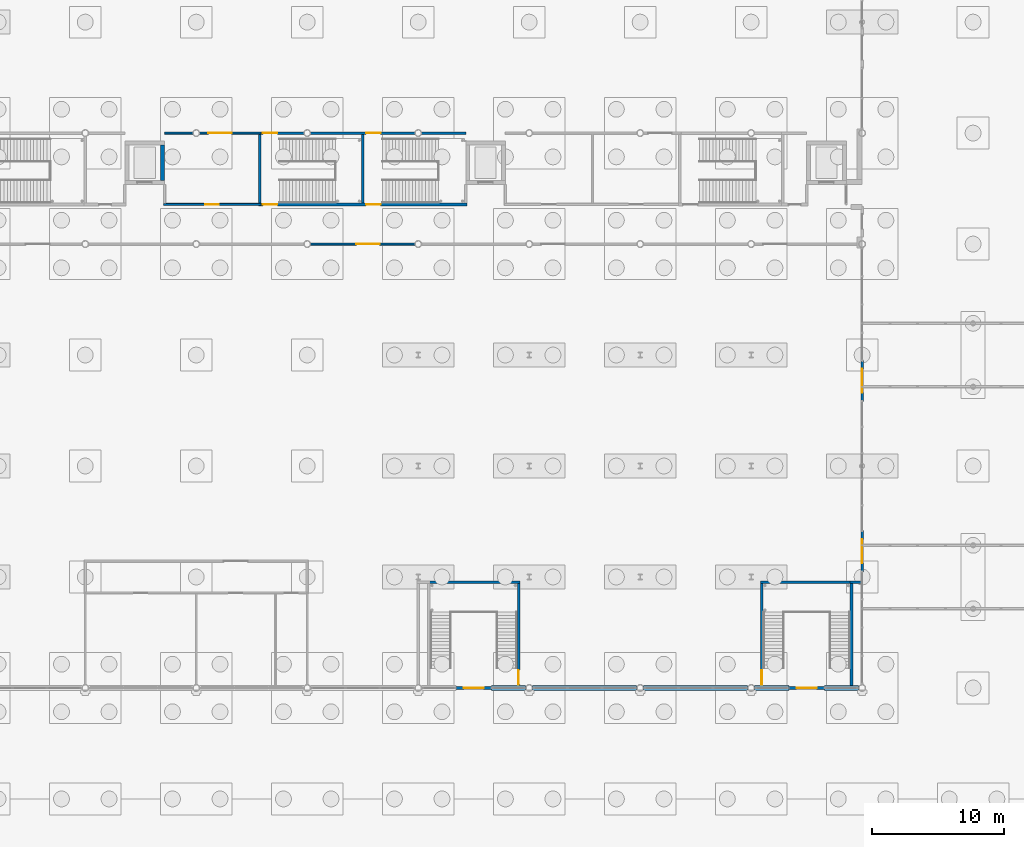
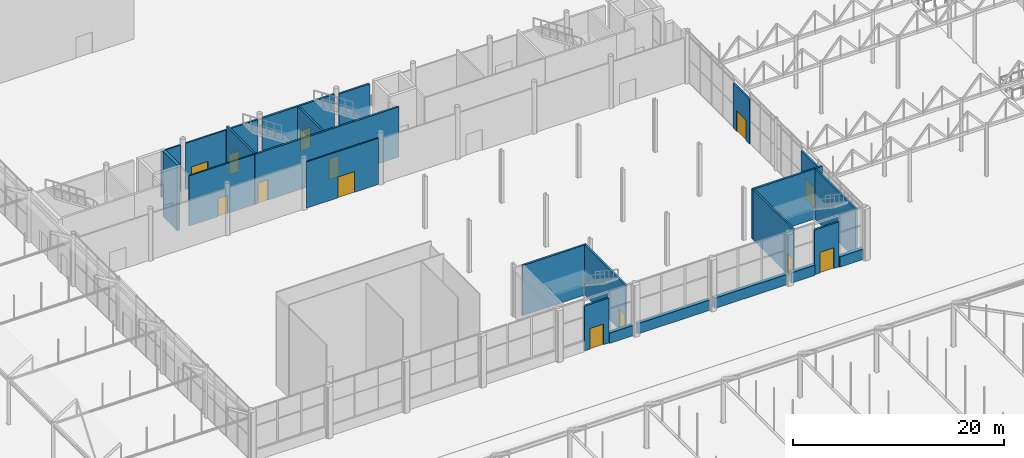
# One storey, part 182 of 212: 26 walls, 13 doors, 13 openings.
"""IFC4 building model written with IfcOpenShell, lengths in metres."""

import ifcopenshell
import ifcopenshell.guid

model = None  # the IFC model being written
_history = None  # IfcOwnerHistory: only IFC2X3 demands one
_inside = {}  # id of a spatial element -> (the spatial element, [elements in it])
_under = {}  # id of a project, library or spatial element -> (it, [spatial elements below it])
_declared = {}  # id of a project -> (the project, [libraries it declares])
_typed = {}  # id of a type object -> (the type object, [elements of that type])
_made_of = {}  # id of a material, layer set ... -> (it, [elements and type objects made of it])


def new_model(schema):
    """Start an empty IFC model of exactly this schema.

    Asked for "IFC4X3", IfcOpenShell would pick the latest addendum, in which some entities
    have other attributes; the version numbers below select the first issue.
    IFC2X3 requires an IfcOwnerHistory on every rooted entity: one is made here for all.
    """
    global model, _history
    if schema == "IFC4X3":
        model = ifcopenshell.file(schema_version=(4, 3, 0, 0))
    else:
        model = ifcopenshell.file(schema=schema)
    _inside.clear()
    _under.clear()
    _declared.clear()
    _typed.clear()
    _made_of.clear()
    _history = None
    if model.schema == "IFC2X3":
        org = make("IfcOrganization", Name="unknown")
        user = make(
            "IfcPersonAndOrganization",
            ThePerson=make("IfcPerson", FamilyName="unknown"),
            TheOrganization=org,
        )
        app = make(
            "IfcApplication",
            ApplicationDeveloper=org,
            Version="unknown",
            ApplicationFullName="unknown",
            ApplicationIdentifier="unknown",
        )
        _history = make(
            "IfcOwnerHistory",
            OwningUser=user,
            OwningApplication=app,
            ChangeAction="ADDED",
            CreationDate=0,
        )
    return model


def make(cls, **values):
    """One entity of the class cls with the attributes given. An attribute that is None is left unset."""
    return model.create_entity(
        cls, **{name: value for name, value in values.items() if value is not None}
    )


def rooted(cls, **values):
    """An entity with a GlobalId (a new one), such as an element, a storey or a relation."""
    return make(cls, GlobalId=ifcopenshell.guid.new(), OwnerHistory=_history, **values)


def si_unit(unit_type, name, prefix=None):
    """IfcSIUnit, for example si_unit("LENGTHUNIT", "METRE", prefix="MILLI")."""
    return make("IfcSIUnit", UnitType=unit_type, Prefix=prefix, Name=name)


def assignment(units):
    """IfcUnitAssignment: the units of a project."""
    return None if units is None else make("IfcUnitAssignment", Units=units)


def point(xyz):
    """IfcCartesianPoint."""
    return None if xyz is None else make("IfcCartesianPoint", Coordinates=xyz)


def direction(xyz):
    """IfcDirection."""
    return None if xyz is None else make("IfcDirection", DirectionRatios=xyz)


def frame(location, z_axis=None, x_axis=None):
    """IfcAxis2Placement3D, a coordinate frame: its origin and axes. An axis left out is left unset."""
    return make(
        "IfcAxis2Placement3D",
        Location=point(location),
        Axis=direction(z_axis),
        RefDirection=direction(x_axis),
    )


def frame_2d(location, x_axis=None):
    """IfcAxis2Placement2D, a coordinate frame in the plane: its origin and x axis."""
    return make(
        "IfcAxis2Placement2D", Location=point(location), RefDirection=direction(x_axis)
    )


def origin():
    """The frame at (0, 0, 0) with its axes left unset."""
    return frame((0.0, 0.0, 0.0))


def place(relative_to, where):
    """IfcLocalPlacement: puts the frame where relative to a parent placement (None: the world)."""
    return make(
        "IfcLocalPlacement", PlacementRelTo=relative_to, RelativePlacement=where
    )


def context(
    kind, dimensions, precision=None, world=None, true_north=None, identifier=None
):
    """IfcGeometricRepresentationContext, for example the 3D "Model" context."""
    return make(
        "IfcGeometricRepresentationContext",
        ContextIdentifier=identifier,
        ContextType=kind,
        CoordinateSpaceDimension=dimensions,
        Precision=precision,
        WorldCoordinateSystem=world,
        TrueNorth=true_north,
    )


def subcontext(parent, identifier, kind, view, scale=None):
    """IfcGeometricRepresentationSubContext, for example "Body" below "Model"."""
    return make(
        "IfcGeometricRepresentationSubContext",
        ContextIdentifier=identifier,
        ContextType=kind,
        ParentContext=parent,
        TargetScale=scale,
        TargetView=view,
    )


def project(units=None, contexts=None):
    """IfcProject with its units and contexts."""
    return rooted(
        "IfcProject",
        Name="project",
        RepresentationContexts=contexts,
        UnitsInContext=assignment(units),
    )


def spatial(cls, under=None, at=None, **own):
    """A site, building, storey or space (cls), placed at a placement, below another one or the project."""
    s = rooted(cls, ObjectPlacement=at, **own)
    if under is not None:
        _under.setdefault(under.id(), (under, []))[1].append(s)
    return s


def profile(cls, at=None, kind="AREA", **sizes):
    """A parametric profile (cls). Its sizes go by their IFC names, for example OverallWidth=200.0."""
    return make(cls, ProfileType=kind, Position=at, **sizes)


def rectangle(**sizes):
    """IfcRectangleProfileDef."""
    return profile("IfcRectangleProfileDef", **sizes)


def extrude(swept, where, along, depth):
    """IfcExtrudedAreaSolid: the profile swept, set in the frame where, extruded along a direction by depth."""
    return make(
        "IfcExtrudedAreaSolid",
        SweptArea=swept,
        Position=where,
        ExtrudedDirection=direction(along),
        Depth=depth,
    )


def shape(context_of_items, identifier, shape_type, items):
    """IfcShapeRepresentation: the items that make up one representation, for example the "Body"."""
    return make(
        "IfcShapeRepresentation",
        ContextOfItems=context_of_items,
        RepresentationIdentifier=identifier,
        RepresentationType=shape_type,
        Items=items,
    )


def material(Name=None, Category=None):
    """IfcMaterial."""
    return make("IfcMaterial", Name=Name, Category=Category)


def layer(
    of_material, thickness, ventilated=None, Name=None, Category=None, Priority=None
):
    """IfcMaterialLayer: one layer of a wall or slab, of a material (None: an air gap)."""
    return make(
        "IfcMaterialLayer",
        Material=of_material,
        LayerThickness=thickness,
        IsVentilated=ventilated,
        Name=Name,
        Category=Category,
        Priority=Priority,
    )


def layer_set(layers, Name=None):
    """IfcMaterialLayerSet."""
    return make("IfcMaterialLayerSet", MaterialLayers=layers, LayerSetName=Name)


def made_of(thing, what):
    """Note that an element or type object is made of a material, layer set ...; save() writes the relation."""
    if what is not None:
        _made_of.setdefault(what.id(), (what, []))[1].append(thing)
    return thing


def type_object(cls, material=None, **own):
    """A type object (cls), such as IfcWallType, which elements share."""
    return made_of(rooted(cls, **own), material)


def element(
    cls,
    number,
    at=None,
    inside=None,
    cuts=None,
    type_object=None,
    material=None,
    context=None,
    identifier="Body",
    shape_type=None,
    held_by="IfcProductDefinitionShape",
    body=None,
    shapes=None,
    **own,
):
    """One element of the class cls, such as IfcWall. Its Tag is "e" and its number.

    at: its placement. inside: the storey or other place that contains it. cuts: it is an
    opening in that element (IfcRelVoidsElement). A single representation is given by context,
    identifier, shape_type and body (its items); several are given by shapes. held_by: the class
    of the entity that holds the representations. save() writes the other relations.
    """
    e = rooted(cls, Tag="e%d" % number, ObjectPlacement=at, **own)
    if body is not None:
        shapes = [shape(context, identifier, shape_type, body)]
    if shapes is not None:
        e.Representation = make(held_by, Representations=shapes)
    if inside is not None:
        _inside.setdefault(inside.id(), (inside, []))[1].append(e)
    if cuts is not None:
        rooted(
            "IfcRelVoidsElement", RelatingBuildingElement=cuts, RelatedOpeningElement=e
        )
    if type_object is not None:
        _typed.setdefault(type_object.id(), (type_object, []))[1].append(e)
    return made_of(e, material)


def fill(opening, filler):
    """IfcRelFillsElement: the door or window that sits in an opening."""
    return rooted(
        "IfcRelFillsElement",
        RelatingOpeningElement=opening,
        RelatedBuildingElement=filler,
    )


def aggregate(whole, parts):
    """IfcRelAggregates: a whole, such as a stair, and the parts it consists of."""
    return rooted("IfcRelAggregates", RelatingObject=whole, RelatedObjects=parts)


def save(model, path):
    """Write the relations noted so far, then the file.

    IfcRelAggregates (storeys below a building ...), IfcRelContainedInSpatialStructure (elements
    in a storey), IfcRelDefinesByType, IfcRelAssociatesMaterial and IfcRelDeclares: one each for
    every whole, place, type object, material and project.
    """
    for whole, parts in _under.values():
        aggregate(whole, parts)
    for where, things in _inside.values():
        rooted(
            "IfcRelContainedInSpatialStructure",
            RelatedElements=things,
            RelatingStructure=where,
        )
    for kind, things in _typed.values():
        rooted("IfcRelDefinesByType", RelatedObjects=things, RelatingType=kind)
    for what, things in _made_of.values():
        rooted("IfcRelAssociatesMaterial", RelatedObjects=things, RelatingMaterial=what)
    for by, libraries in _declared.values():
        rooted("IfcRelDeclares", RelatingContext=by, RelatedDefinitions=libraries)
    model.write(path)


model = new_model("IFC4")

# Units and contexts
model_context = context("Model", 3, precision=1e-05, world=origin(), true_north=direction((0.0, 1.0)))
body_context = subcontext(model_context, "Body", "Model", "MODEL_VIEW")
ifc_project = project(units=[si_unit("LENGTHUNIT", "METRE"), si_unit("AREAUNIT", "SQUARE_METRE"), si_unit("VOLUMEUNIT", "CUBIC_METRE"), si_unit("PLANEANGLEUNIT", "RADIAN"), si_unit("MASSUNIT", "GRAM", prefix="KILO")], contexts=[model_context])

# Site, building, storey
site_placement = place(None, origin())
site = spatial("IfcSite", under=ifc_project, at=site_placement, CompositionType="ELEMENT")
building_placement = place(site_placement, origin())
building = spatial("IfcBuilding", under=site, at=building_placement, Name="Catenary Quay Ferry Terminal", CompositionType="ELEMENT")
storey_placement = place(building_placement, origin())
storey = spatial("IfcBuildingStorey", under=building, at=storey_placement, Name="L00", CompositionType="ELEMENT", Elevation=0.0)

# Walls
ifc_material_1 = material(Name="Masonry and insulation", Category="masonry")
ifc_layer_1 = layer(ifc_material_1, 0.39990234375)
ifc_layer_set_1 = layer_set([ifc_layer_1], Name="EW14")
wall_type_1 = type_object("IfcWallType", Name="EW14", PredefinedType="SOLIDWALL", material=ifc_layer_set_1)
wall_1_placement = place(storey_placement, frame((64.35009765625, 67.199951171875, 0.0), z_axis=(0.0, 0.0, 1.0), x_axis=(1.0, 0.0, 0.0)))
element("IfcWall", 1, at=wall_1_placement, inside=storey, type_object=wall_type_1, Name="Plinth hall wall WL13", PredefinedType="SOLIDWALL", context=body_context, shape_type="SweptSolid", body=[
    extrude(rectangle(XDim=2.58984375, YDim=0.39990234375, at=frame_2d((1.294921875, 0.0))), origin(), (0.0, 0.0, 1.0), 1.199951171875),
])
wall_2_placement = place(storey_placement, frame((67.4599609375, 67.199951171875, 0.0), z_axis=(0.0, 0.0, 1.0), x_axis=(1.0, 0.0, 0.0)))
element("IfcWall", 2, at=wall_2_placement, inside=storey, type_object=wall_type_1, Name="Plinth hall wall WL15", PredefinedType="SOLIDWALL", context=body_context, shape_type="SweptSolid", body=[
    extrude(rectangle(XDim=7.880126953125, YDim=0.39990234375, at=frame_2d((3.93994140625, 0.0))), origin(), (0.0, 0.0, 1.0), 1.199951171875),
])
wall_3_placement = place(storey_placement, frame((75.860107421875, 67.199951171875, 0.0), z_axis=(0.0, 0.0, 1.0), x_axis=(1.0, 0.0, 0.0)))
element("IfcWall", 3, at=wall_3_placement, inside=storey, type_object=wall_type_1, Name="Plinth hall wall WL16", PredefinedType="SOLIDWALL", context=body_context, shape_type="SweptSolid", body=[
    extrude(rectangle(XDim=7.8798828125, YDim=0.39990234375, at=frame_2d((3.93994140625, 0.0))), origin(), (0.0, 0.0, 1.0), 1.199951171875),
])
wall_4_placement = place(storey_placement, frame((84.260009765625, 67.199951171875, 0.0), z_axis=(0.0, 0.0, 1.0), x_axis=(1.0, 0.0, 0.0)))
element("IfcWall", 4, at=wall_4_placement, inside=storey, type_object=wall_type_1, Name="Plinth hall wall WL17", PredefinedType="SOLIDWALL", context=body_context, shape_type="SweptSolid", body=[
    extrude(rectangle(XDim=2.590087890625, YDim=0.39990234375, at=frame_2d((1.294921875, 0.0))), origin(), (0.0, 0.0, 1.0), 1.199951171875),
])
wall_5_placement = place(storey_placement, frame((89.550048828125, 67.199951171875, 0.0), z_axis=(0.0, 0.0, 1.0), x_axis=(1.0, 0.0, 0.0)))
element("IfcWall", 5, at=wall_5_placement, inside=storey, type_object=wall_type_1, Name="Plinth hall wall WL18", PredefinedType="SOLIDWALL", context=body_context, shape_type="SweptSolid", body=[
    extrude(rectangle(XDim=2.58984375, YDim=0.39990234375, at=frame_2d((1.294921875, 0.0))), origin(), (0.0, 0.0, 1.0), 1.199951171875),
])

# Wall, opening, door
ifc_material_2 = material(Name="Masonry and insulation", Category="masonry")
ifc_layer_2 = layer(ifc_material_2, 0.199951171875)
ifc_layer_set_2 = layer_set([ifc_layer_2], Name="EW6")
wall_type_2 = type_object("IfcWallType", Name="EW6", PredefinedType="SOLIDWALL", material=ifc_layer_set_2)
wall_6_placement = place(storey_placement, frame((92.39990234375, 75.9951171875, 0.0), z_axis=(0.0, 0.0, 1.0), x_axis=(0.0, 1.0, 0.0)))
wall_6 = element("IfcWall", 6, at=wall_6_placement, inside=storey, type_object=wall_type_2, Name="Gable arrivals hall wall WL3", PredefinedType="SOLIDWALL", context=body_context, shape_type="SweptSolid", body=[
    extrude(rectangle(XDim=3.10986328125, YDim=0.199951171875, at=frame_2d((1.554931640625, 0.0))), origin(), (0.0, 0.0, 1.0), 5.19775390625),
])
opening_1_placement = place(wall_6_placement, frame((0.655029296875, 0.0, 0.0)))
opening_1 = element("IfcOpeningElement", 7, at=opening_1_placement, cuts=wall_6, Name="Opening D3", PredefinedType="OPENING", context=body_context, shape_type="SweptSolid", body=[
    extrude(rectangle(XDim=1.800048828125, YDim=2.39990234375, at=frame_2d((0.89990234375, 1.199951171875))), frame((0.0, 0.10986328125, 0.0), z_axis=(0.0, -1.0, 0.0), x_axis=(1.0, 0.0, 0.0)), (0.0, 0.0, 1.0), 0.219970703125),
])
ifc_material_3 = material(Name="Aluminium and glass", Category="aluminium")
door_type_1 = type_object("IfcDoorType", Name="DXA1800", OperationType="DOUBLE_DOOR_SINGLE_SWING", PredefinedType="DOOR", material=ifc_material_3)
door_1_placement = place(opening_1_placement, frame((1.800048828125, 0.0, 0.0), z_axis=(0.0, 0.0, 1.0), x_axis=(-1.0, 0.0, 0.0)))
door_1 = element("IfcDoor", 8, at=door_1_placement, inside=storey, type_object=door_type_1, Name="Gable arrivals hall door D3", OperationType="DOUBLE_DOOR_SINGLE_SWING", OverallHeight=2.39990234375, OverallWidth=1.800048828125, PredefinedType="DOOR", context=body_context, shape_type="SweptSolid", body=[
    extrude(rectangle(XDim=1.800048828125, YDim=2.39990234375, at=frame_2d((0.89990234375, 1.199951171875))), frame((0.0, 0.02490234375, 0.0), z_axis=(0.0, -1.0, 0.0), x_axis=(1.0, 0.0, 0.0)), (0.0, 0.0, 1.0), 0.050048828125),
])
fill(opening_1, door_1)

wall_7_placement = place(storey_placement, frame((92.39990234375, 88.89501953125, 0.0), z_axis=(0.0, 0.0, 1.0), x_axis=(0.0, 1.0, 0.0)))
wall_7 = element("IfcWall", 9, at=wall_7_placement, inside=storey, type_object=wall_type_2, Name="Gable arrivals hall wall WL4", PredefinedType="SOLIDWALL", context=body_context, shape_type="SweptSolid", body=[
    extrude(rectangle(XDim=3.10986328125, YDim=0.199951171875, at=frame_2d((1.554931640625, 0.0))), origin(), (0.0, 0.0, 1.0), 5.19775390625),
])
opening_2_placement = place(wall_7_placement, frame((0.655029296875, 0.0, 0.0)))
opening_2 = element("IfcOpeningElement", 10, at=opening_2_placement, cuts=wall_7, Name="Opening D4", PredefinedType="OPENING", context=body_context, shape_type="SweptSolid", body=[
    extrude(rectangle(XDim=1.800048828125, YDim=2.39990234375, at=frame_2d((0.89990234375, 1.199951171875))), frame((0.0, 0.10986328125, 0.0), z_axis=(0.0, -1.0, 0.0), x_axis=(1.0, 0.0, 0.0)), (0.0, 0.0, 1.0), 0.219970703125),
])
door_2_placement = place(opening_2_placement, frame((1.800048828125, 0.0, 0.0), z_axis=(0.0, 0.0, 1.0), x_axis=(-1.0, 0.0, 0.0)))
door_2 = element("IfcDoor", 11, at=door_2_placement, inside=storey, type_object=door_type_1, Name="Gable arrivals hall door D4", OperationType="DOUBLE_DOOR_SINGLE_SWING", OverallHeight=2.39990234375, OverallWidth=1.800048828125, PredefinedType="DOOR", context=body_context, shape_type="SweptSolid", body=[
    extrude(rectangle(XDim=1.800048828125, YDim=2.39990234375, at=frame_2d((0.89990234375, 1.199951171875))), frame((0.0, 0.02490234375, 0.0), z_axis=(0.0, -1.0, 0.0), x_axis=(1.0, 0.0, 0.0)), (0.0, 0.0, 1.0), 0.050048828125),
])
fill(opening_2, door_2)

wall_8_placement = place(storey_placement, frame((61.64990234375, 67.199951171875, 0.0), z_axis=(0.0, 0.0, 1.0), x_axis=(1.0, 0.0, 0.0)))
wall_8 = element("IfcWall", 12, at=wall_8_placement, inside=storey, type_object=wall_type_2, Name="Front hall wall WL14", PredefinedType="SOLIDWALL", context=body_context, shape_type="SweptSolid", body=[
    extrude(rectangle(XDim=2.7001953125, YDim=0.199951171875, at=frame_2d((1.35009765625, 0.0))), origin(), (0.0, 0.0, 1.0), 5.19775390625),
])
opening_3_placement = place(wall_8_placement, frame((0.60009765625, 0.0, 0.0)))
opening_3 = element("IfcOpeningElement", 13, at=opening_3_placement, cuts=wall_8, Name="Opening D8", PredefinedType="OPENING", context=body_context, shape_type="SweptSolid", body=[
    extrude(rectangle(XDim=1.5, YDim=2.39990234375, at=frame_2d((0.75, 1.199951171875))), frame((0.0, 0.10986328125, 0.0), z_axis=(0.0, -1.0, 0.0), x_axis=(1.0, 0.0, 0.0)), (0.0, 0.0, 1.0), 0.219970703125),
])
ifc_material_4 = material(Name="Steel", Category="steel")
door_type_2 = type_object("IfcDoorType", Name="DXE1500", OperationType="SINGLE_SWING_LEFT", PredefinedType="DOOR", material=ifc_material_4)
door_3_placement = place(opening_3_placement, frame((1.5, 0.0, 0.0), z_axis=(0.0, 0.0, 1.0), x_axis=(-1.0, 0.0, 0.0)))
door_3 = element("IfcDoor", 14, at=door_3_placement, inside=storey, type_object=door_type_2, Name="Front hall door D8", OperationType="SINGLE_SWING_RIGHT", OverallHeight=2.39990234375, OverallWidth=1.5, PredefinedType="DOOR", context=body_context, shape_type="SweptSolid", body=[
    extrude(rectangle(XDim=1.5, YDim=2.39990234375, at=frame_2d((0.75, 1.199951171875))), frame((0.0, 0.02490234375, 0.0), z_axis=(0.0, -1.0, 0.0), x_axis=(1.0, 0.0, 0.0)), (0.0, 0.0, 1.0), 0.050048828125),
])
fill(opening_3, door_3)

wall_9_placement = place(storey_placement, frame((86.85009765625, 67.199951171875, 0.0), z_axis=(0.0, 0.0, 1.0), x_axis=(1.0, 0.0, 0.0)))
wall_9 = element("IfcWall", 15, at=wall_9_placement, inside=storey, type_object=wall_type_2, Name="Front hall wall WL19", PredefinedType="SOLIDWALL", context=body_context, shape_type="SweptSolid", body=[
    extrude(rectangle(XDim=2.699951171875, YDim=0.199951171875, at=frame_2d((1.35009765625, 0.0))), origin(), (0.0, 0.0, 1.0), 5.19775390625),
])
opening_4_placement = place(wall_9_placement, frame((0.60009765625, 0.0, 0.0)))
opening_4 = element("IfcOpeningElement", 16, at=opening_4_placement, cuts=wall_9, Name="Opening D9", PredefinedType="OPENING", context=body_context, shape_type="SweptSolid", body=[
    extrude(rectangle(XDim=1.5, YDim=2.39990234375, at=frame_2d((0.75, 1.199951171875))), frame((0.0, 0.10986328125, 0.0), z_axis=(0.0, -1.0, 0.0), x_axis=(1.0, 0.0, 0.0)), (0.0, 0.0, 1.0), 0.219970703125),
])
door_4_placement = place(opening_4_placement, frame((1.5, 0.0, 0.0), z_axis=(0.0, 0.0, 1.0), x_axis=(-1.0, 0.0, 0.0)))
door_4 = element("IfcDoor", 17, at=door_4_placement, inside=storey, type_object=door_type_2, Name="Front hall door D9", OperationType="SINGLE_SWING_RIGHT", OverallHeight=2.39990234375, OverallWidth=1.5, PredefinedType="DOOR", context=body_context, shape_type="SweptSolid", body=[
    extrude(rectangle(XDim=1.5, YDim=2.39990234375, at=frame_2d((0.75, 1.199951171875))), frame((0.0, 0.02490234375, 0.0), z_axis=(0.0, -1.0, 0.0), x_axis=(1.0, 0.0, 0.0)), (0.0, 0.0, 1.0), 0.050048828125),
])
fill(opening_4, door_4)

ifc_material_5 = material(Name="Plasterboard on steel studs", Category="steel")
ifc_layer_3 = layer(ifc_material_5, 0.14990234375)
ifc_layer_set_3 = layer_set([ifc_layer_3], Name="IP3")
wall_type_3 = type_object("IfcWallType", Name="IP3", PredefinedType="PARTITIONING", material=ifc_layer_set_3)
wall_10_placement = place(storey_placement, frame((50.654052734375, 100.800048828125, 0.0), z_axis=(0.0, 0.0, 1.0), x_axis=(1.0, 0.0, 0.0)))
wall_10 = element("IfcWall", 18, at=wall_10_placement, inside=storey, type_object=wall_type_3, Name="Partition L00 14", PredefinedType="PARTITIONING", context=body_context, shape_type="SweptSolid", body=[
    extrude(rectangle(XDim=7.891845703125, YDim=0.14990234375, at=frame_2d((3.94580078125, 0.0))), origin(), (0.0, 0.0, 1.0), 5.34619140625),
])
opening_5_placement = place(wall_10_placement, frame((3.446044921875, 0.0, 0.0)))
opening_5 = element("IfcOpeningElement", 19, at=opening_5_placement, cuts=wall_10, Name="Opening D61", PredefinedType="OPENING", context=body_context, shape_type="SweptSolid", body=[
    extrude(rectangle(XDim=1.800048828125, YDim=2.39990234375, at=frame_2d((0.89990234375, 1.199951171875))), frame((0.0, 0.0849609375, 0.0), z_axis=(0.0, -1.0, 0.0), x_axis=(1.0, 0.0, 0.0)), (0.0, 0.0, 1.0), 0.169921875),
])
ifc_material_6 = material(Name="Aluminium and glass", Category="aluminium")
door_type_3 = type_object("IfcDoorType", Name="DI6", OperationType="DOUBLE_DOOR_SINGLE_SWING", PredefinedType="DOOR", material=ifc_material_6)
door_5_placement = place(opening_5_placement, origin())
door_5 = element("IfcDoor", 20, at=door_5_placement, inside=storey, type_object=door_type_3, Name="Terminal Spine Corridor to Arrivals Hall", OperationType="DOUBLE_DOOR_SINGLE_SWING", OverallHeight=2.39990234375, OverallWidth=1.800048828125, PredefinedType="DOOR", context=body_context, shape_type="SweptSolid", body=[
    extrude(rectangle(XDim=1.800048828125, YDim=2.39990234375, at=frame_2d((0.89990234375, 1.199951171875))), frame((0.0, 0.02490234375, 0.0), z_axis=(0.0, -1.0, 0.0), x_axis=(1.0, 0.0, 0.0)), (0.0, 0.0, 1.0), 0.050048828125),
])
fill(opening_5, door_5)

wall_11_placement = place(storey_placement, frame((39.52490234375, 103.800048828125, 0.0), z_axis=(0.0, 0.0, 1.0), x_axis=(1.0, 0.0, 0.0)))
wall_11 = element("IfcWall", 21, at=wall_11_placement, inside=storey, type_object=wall_type_3, Name="Partition L00 21", PredefinedType="PARTITIONING", context=body_context, shape_type="SweptSolid", body=[
    extrude(rectangle(XDim=7.375, YDim=0.14990234375, at=frame_2d((3.6875, 0.0))), origin(), (0.0, 0.0, 1.0), 5.800048828125),
])
opening_6_placement = place(wall_11_placement, frame((3.175048828125, 0.0, 0.0)))
opening_6 = element("IfcOpeningElement", 22, at=opening_6_placement, cuts=wall_11, Name="Opening D53", PredefinedType="OPENING", context=body_context, shape_type="SweptSolid", body=[
    extrude(rectangle(XDim=1.0, YDim=2.10009765625, at=frame_2d((0.5, 1.050048828125))), frame((0.0, 0.0849609375, 0.0), z_axis=(0.0, -1.0, 0.0), x_axis=(1.0, 0.0, 0.0)), (0.0, 0.0, 1.0), 0.169921875),
])
ifc_material_7 = material(Name="Timber", Category="wood")
door_type_4 = type_object("IfcDoorType", Name="DI7", OperationType="SINGLE_SWING_LEFT", PredefinedType="DOOR", material=ifc_material_7)
door_6_placement = place(opening_6_placement, origin())
door_6 = element("IfcDoor", 23, at=door_6_placement, inside=storey, type_object=door_type_4, Name="Baggage Handling Room to Terminal Spine Corridor", OperationType="SINGLE_SWING_LEFT", OverallHeight=2.10009765625, OverallWidth=1.0, PredefinedType="DOOR", context=body_context, shape_type="SweptSolid", body=[
    extrude(rectangle(XDim=1.0, YDim=2.10009765625, at=frame_2d((0.5, 1.050048828125))), frame((0.0, 0.02490234375, 0.0), z_axis=(0.0, -1.0, 0.0), x_axis=(1.0, 0.0, 0.0)), (0.0, 0.0, 1.0), 0.050048828125),
])
fill(opening_6, door_6)

# Walls
ifc_material_8 = material(Name="Blockwork and plaster", Category="masonry")
ifc_layer_4 = layer(ifc_material_8, 0.199951171875)
ifc_layer_set_4 = layer_set([ifc_layer_4], Name="IP4")
wall_type_4 = type_object("IfcWallType", Name="IP4", PredefinedType="PARTITIONING", material=ifc_layer_set_4)
for number, where, z_axis, x_axis, name in (
    (24, (59.5, 75.199951171875, 0.0), (0.0, 0.0, 1.0), (1.0, 0.0, 0.0), "Partition L00 4"),
    (25, (84.699951171875, 75.199951171875, 0.0), (0.0, 0.0, 1.0), (1.0, 0.0, 0.0), "Partition L00 5"),
):
    element("IfcWall", number, at=place(storey_placement, frame(where, z_axis=z_axis, x_axis=x_axis)), inside=storey, type_object=wall_type_4, Name=name, PredefinedType="PARTITIONING", context=body_context, shape_type="SweptSolid", body=[
        extrude(rectangle(XDim=7.0, YDim=0.199951171875, at=frame_2d((3.5, 0.0))), origin(), (0.0, 0.0, 1.0), 5.800048828125),
    ])

# Wall, openings, doors
wall_12_placement = place(storey_placement, frame((46.699951171875, 103.800048828125, 0.0), z_axis=(0.0, 0.0, 1.0), x_axis=(1.0, 0.0, 0.0)))
wall_12 = element("IfcWall", 26, at=wall_12_placement, inside=storey, type_object=wall_type_4, Name="Partition L00 22", PredefinedType="PARTITIONING", context=body_context, shape_type="SweptSolid", body=[
    extrude(rectangle(XDim=15.800048828125, YDim=0.199951171875, at=frame_2d((7.89990234375, 0.0))), origin(), (0.0, 0.0, 1.0), 5.800048828125),
])
opening_7_placement = place(wall_12_placement, frame((0.35009765625, 0.0, 0.0)))
opening_7 = element("IfcOpeningElement", 27, at=opening_7_placement, cuts=wall_12, Name="Opening D54", PredefinedType="OPENING", context=body_context, shape_type="SweptSolid", body=[
    extrude(rectangle(XDim=1.10009765625, YDim=2.39990234375, at=frame_2d((0.550048828125, 1.199951171875))), frame((0.0, 0.10986328125, 0.0), z_axis=(0.0, -1.0, 0.0), x_axis=(1.0, 0.0, 0.0)), (0.0, 0.0, 1.0), 0.219970703125),
])
opening_8_placement = place(wall_12_placement, frame((8.14990234375, 0.0, 0.0)))
opening_8 = element("IfcOpeningElement", 28, at=opening_8_placement, cuts=wall_12, Name="Opening D55", PredefinedType="OPENING", context=body_context, shape_type="SweptSolid", body=[
    extrude(rectangle(XDim=1.10009765625, YDim=2.39990234375, at=frame_2d((0.550048828125, 1.199951171875))), frame((0.0, 0.10986328125, 0.0), z_axis=(0.0, -1.0, 0.0), x_axis=(1.0, 0.0, 0.0)), (0.0, 0.0, 1.0), 0.219970703125),
])
ifc_material_9 = material(Name="Steel", Category="steel")
door_type_5 = type_object("IfcDoorType", Name="DI4", OperationType="SINGLE_SWING_LEFT", PredefinedType="DOOR", material=ifc_material_9)
door_7_placement = place(opening_7_placement, origin())
door_7 = element("IfcDoor", 29, at=door_7_placement, inside=storey, type_object=door_type_5, Name="Stair TS2 to Terminal Spine Corridor", OperationType="SINGLE_SWING_LEFT", OverallHeight=2.39990234375, OverallWidth=1.10009765625, PredefinedType="DOOR", context=body_context, shape_type="SweptSolid", body=[
    extrude(rectangle(XDim=1.10009765625, YDim=2.39990234375, at=frame_2d((0.550048828125, 1.199951171875))), frame((0.0, 0.02490234375, 0.0), z_axis=(0.0, -1.0, 0.0), x_axis=(1.0, 0.0, 0.0)), (0.0, 0.0, 1.0), 0.050048828125),
])
fill(opening_7, door_7)
door_8_placement = place(opening_8_placement, origin())
door_8 = element("IfcDoor", 30, at=door_8_placement, inside=storey, type_object=door_type_5, Name="Stair TS4 to Terminal Spine Corridor", OperationType="SINGLE_SWING_LEFT", OverallHeight=2.39990234375, OverallWidth=1.10009765625, PredefinedType="DOOR", context=body_context, shape_type="SweptSolid", body=[
    extrude(rectangle(XDim=1.10009765625, YDim=2.39990234375, at=frame_2d((0.550048828125, 1.199951171875))), frame((0.0, 0.02490234375, 0.0), z_axis=(0.0, -1.0, 0.0), x_axis=(1.0, 0.0, 0.0)), (0.0, 0.0, 1.0), 0.050048828125),
])
fill(opening_8, door_8)

# Wall, opening, door
wall_13_placement = place(storey_placement, frame((46.699951171875, 109.199951171875, 0.0), z_axis=(0.0, 0.0, 1.0), x_axis=(1.0, 0.0, 0.0)))
wall_13 = element("IfcWall", 31, at=wall_13_placement, inside=storey, type_object=wall_type_4, Name="Partition L00 30", PredefinedType="PARTITIONING", context=body_context, shape_type="SweptSolid", body=[
    extrude(rectangle(XDim=3.446044921875, YDim=0.199951171875, at=frame_2d((1.72314453125, 0.0))), origin(), (0.0, 0.0, 1.0), 5.34619140625),
])
opening_9_placement = place(wall_13_placement, frame((0.35009765625, 0.0, 0.0)))
opening_9 = element("IfcOpeningElement", 32, at=opening_9_placement, cuts=wall_13, Name="Opening D64", PredefinedType="OPENING", context=body_context, shape_type="SweptSolid", body=[
    extrude(rectangle(XDim=1.10009765625, YDim=2.39990234375, at=frame_2d((0.550048828125, 1.199951171875))), frame((0.0, 0.10986328125, 0.0), z_axis=(0.0, -1.0, 0.0), x_axis=(1.0, 0.0, 0.0)), (0.0, 0.0, 1.0), 0.219970703125),
])
door_9_placement = place(opening_9_placement, frame((1.10009765625, 0.0, 0.0), z_axis=(0.0, 0.0, 1.0), x_axis=(-1.0, 0.0, 0.0)))
door_9 = element("IfcDoor", 33, at=door_9_placement, inside=storey, type_object=door_type_5, Name="Stair TS2 to Departure Hall", OperationType="SINGLE_SWING_RIGHT", OverallHeight=2.39990234375, OverallWidth=1.10009765625, PredefinedType="DOOR", context=body_context, shape_type="SweptSolid", body=[
    extrude(rectangle(XDim=1.10009765625, YDim=2.39990234375, at=frame_2d((0.550048828125, 1.199951171875))), frame((0.0, 0.02490234375, 0.0), z_axis=(0.0, -1.0, 0.0), x_axis=(1.0, 0.0, 0.0)), (0.0, 0.0, 1.0), 0.050048828125),
])
fill(opening_9, door_9)

wall_14_placement = place(storey_placement, frame((50.654052734375, 109.199951171875, 0.0), z_axis=(0.0, 0.0, 1.0), x_axis=(1.0, 0.0, 0.0)))
wall_14 = element("IfcWall", 34, at=wall_14_placement, inside=storey, type_object=wall_type_4, Name="Partition L00 31", PredefinedType="PARTITIONING", context=body_context, shape_type="SweptSolid", body=[
    extrude(rectangle(XDim=7.891845703125, YDim=0.199951171875, at=frame_2d((3.94580078125, 0.0))), origin(), (0.0, 0.0, 1.0), 5.34619140625),
])
opening_10_placement = place(wall_14_placement, frame((4.196044921875, 0.0, 0.0)))
opening_10 = element("IfcOpeningElement", 35, at=opening_10_placement, cuts=wall_14, Name="Opening D66", PredefinedType="OPENING", context=body_context, shape_type="SweptSolid", body=[
    extrude(rectangle(XDim=1.10009765625, YDim=2.39990234375, at=frame_2d((0.550048828125, 1.199951171875))), frame((0.0, 0.10986328125, 0.0), z_axis=(0.0, -1.0, 0.0), x_axis=(1.0, 0.0, 0.0)), (0.0, 0.0, 1.0), 0.219970703125),
])
door_10_placement = place(opening_10_placement, frame((1.10009765625, 0.0, 0.0), z_axis=(0.0, 0.0, 1.0), x_axis=(-1.0, 0.0, 0.0)))
door_10 = element("IfcDoor", 36, at=door_10_placement, inside=storey, type_object=door_type_5, Name="Stair TS4 to Departure Hall", OperationType="SINGLE_SWING_RIGHT", OverallHeight=2.39990234375, OverallWidth=1.10009765625, PredefinedType="DOOR", context=body_context, shape_type="SweptSolid", body=[
    extrude(rectangle(XDim=1.10009765625, YDim=2.39990234375, at=frame_2d((0.550048828125, 1.199951171875))), frame((0.0, 0.02490234375, 0.0), z_axis=(0.0, -1.0, 0.0), x_axis=(1.0, 0.0, 0.0)), (0.0, 0.0, 1.0), 0.050048828125),
])
fill(opening_10, door_10)

# Walls
wall_15_placement = place(storey_placement, frame((59.053955078125, 109.199951171875, 0.0), z_axis=(0.0, 0.0, 1.0), x_axis=(1.0, 0.0, 0.0)))
element("IfcWall", 37, at=wall_15_placement, inside=storey, type_object=wall_type_4, Name="Partition L00 32", PredefinedType="PARTITIONING", context=body_context, shape_type="SweptSolid", body=[
    extrude(rectangle(XDim=3.345947265625, YDim=0.199951171875, at=frame_2d((1.6728515625, 0.0))), origin(), (0.0, 0.0, 1.0), 5.19775390625),
])
wall_16_placement = place(storey_placement, frame((46.800048828125, 103.89990234375, 0.0), z_axis=(0.0, 0.0, 1.0), x_axis=(0.0, 1.0, 0.0)))
element("IfcWall", 38, at=wall_16_placement, inside=storey, type_object=wall_type_4, Name="Partition L00 89", PredefinedType="PARTITIONING", context=body_context, shape_type="SweptSolid", body=[
    extrude(rectangle(XDim=5.2001953125, YDim=0.199951171875, at=frame_2d((2.60009765625, 0.0))), origin(), (0.0, 0.0, 1.0), 5.800048828125),
])
wall_17_placement = place(storey_placement, frame((54.60009765625, 103.89990234375, 0.0), z_axis=(0.0, 0.0, 1.0), x_axis=(0.0, 1.0, 0.0)))
element("IfcWall", 39, at=wall_17_placement, inside=storey, type_object=wall_type_4, Name="Partition L00 98", PredefinedType="PARTITIONING", context=body_context, shape_type="SweptSolid", body=[
    extrude(rectangle(XDim=5.2001953125, YDim=0.199951171875, at=frame_2d((2.60009765625, 0.0))), origin(), (0.0, 0.0, 1.0), 5.34619140625),
])

# Wall, opening, door
wall_18_placement = place(storey_placement, frame((66.39990234375, 67.39990234375, 0.0), z_axis=(0.0, 0.0, 1.0), x_axis=(0.0, 1.0, 0.0)))
wall_18 = element("IfcWall", 40, at=wall_18_placement, inside=storey, type_object=wall_type_4, Name="Partition L00 108", PredefinedType="PARTITIONING", context=body_context, shape_type="SweptSolid", body=[
    extrude(rectangle(XDim=7.7001953125, YDim=0.199951171875, at=frame_2d((3.85009765625, 0.0))), origin(), (0.0, 0.0, 1.0), 5.800048828125),
])
opening_11_placement = place(wall_18_placement, frame((0.050048828125, 0.0, 0.0)))
opening_11 = element("IfcOpeningElement", 41, at=opening_11_placement, cuts=wall_18, Name="Opening D69", PredefinedType="OPENING", context=body_context, shape_type="SweptSolid", body=[
    extrude(rectangle(XDim=1.10009765625, YDim=2.39990234375, at=frame_2d((0.550048828125, 1.199951171875))), frame((0.0, 0.10986328125, 0.0), z_axis=(0.0, -1.0, 0.0), x_axis=(1.0, 0.0, 0.0)), (0.0, 0.0, 1.0), 0.219970703125),
])
door_11_placement = place(opening_11_placement, origin())
door_11 = element("IfcDoor", 42, at=door_11_placement, inside=storey, type_object=door_type_5, Name="Stair TS6 to Arrivals Baggage Claim", OperationType="SINGLE_SWING_LEFT", OverallHeight=2.39990234375, OverallWidth=1.10009765625, PredefinedType="DOOR", context=body_context, shape_type="SweptSolid", body=[
    extrude(rectangle(XDim=1.10009765625, YDim=2.39990234375, at=frame_2d((0.550048828125, 1.199951171875))), frame((0.0, 0.02490234375, 0.0), z_axis=(0.0, -1.0, 0.0), x_axis=(1.0, 0.0, 0.0)), (0.0, 0.0, 1.0), 0.050048828125),
])
fill(opening_11, door_11)

wall_19_placement = place(storey_placement, frame((84.800048828125, 67.39990234375, 0.0), z_axis=(0.0, 0.0, 1.0), x_axis=(0.0, 1.0, 0.0)))
wall_19 = element("IfcWall", 43, at=wall_19_placement, inside=storey, type_object=wall_type_4, Name="Partition L00 112", PredefinedType="PARTITIONING", context=body_context, shape_type="SweptSolid", body=[
    extrude(rectangle(XDim=7.7001953125, YDim=0.199951171875, at=frame_2d((3.85009765625, 0.0))), origin(), (0.0, 0.0, 1.0), 5.800048828125),
])
opening_12_placement = place(wall_19_placement, frame((0.050048828125, 0.0, 0.0)))
opening_12 = element("IfcOpeningElement", 44, at=opening_12_placement, cuts=wall_19, Name="Opening D68", PredefinedType="OPENING", context=body_context, shape_type="SweptSolid", body=[
    extrude(rectangle(XDim=1.10009765625, YDim=2.39990234375, at=frame_2d((0.550048828125, 1.199951171875))), frame((0.0, 0.10986328125, 0.0), z_axis=(0.0, -1.0, 0.0), x_axis=(1.0, 0.0, 0.0)), (0.0, 0.0, 1.0), 0.219970703125),
])
door_12_placement = place(opening_12_placement, frame((1.10009765625, 0.0, 0.0), z_axis=(0.0, 0.0, 1.0), x_axis=(-1.0, 0.0, 0.0)))
door_12 = element("IfcDoor", 45, at=door_12_placement, inside=storey, type_object=door_type_5, Name="Stair TS5 to Immigration and Customs", OperationType="SINGLE_SWING_RIGHT", OverallHeight=2.39990234375, OverallWidth=1.10009765625, PredefinedType="DOOR", context=body_context, shape_type="SweptSolid", body=[
    extrude(rectangle(XDim=1.10009765625, YDim=2.39990234375, at=frame_2d((0.550048828125, 1.199951171875))), frame((0.0, 0.02490234375, 0.0), z_axis=(0.0, -1.0, 0.0), x_axis=(1.0, 0.0, 0.0)), (0.0, 0.0, 1.0), 0.050048828125),
])
fill(opening_12, door_12)

# Walls
wall_20_placement = place(storey_placement, frame((91.60009765625, 67.39990234375, 0.0), z_axis=(0.0, 0.0, 1.0), x_axis=(0.0, 1.0, 0.0)))
element("IfcWall", 46, at=wall_20_placement, inside=storey, type_object=wall_type_4, Name="Partition L00 115", PredefinedType="PARTITIONING", context=body_context, shape_type="SweptSolid", body=[
    extrude(rectangle(XDim=7.7001953125, YDim=0.199951171875, at=frame_2d((3.85009765625, 0.0))), origin(), (0.0, 0.0, 1.0), 5.800048828125),
])
ifc_material_10 = material(Name="Blockwork and plaster", Category="masonry")
ifc_layer_5 = layer(ifc_material_10, 0.199951171875)
ifc_layer_set_5 = layer_set([ifc_layer_5], Name="IP6")
wall_type_5 = type_object("IfcWallType", Name="IP6", PredefinedType="PARTITIONING", material=ifc_layer_set_5)
wall_21_placement = place(storey_placement, frame((91.5, 75.199951171875, 0.0), z_axis=(0.0, 0.0, 1.0), x_axis=(1.0, 0.0, 0.0)))
element("IfcWall", 47, at=wall_21_placement, inside=storey, type_object=wall_type_5, Name="Partition L00 6", PredefinedType="PARTITIONING", context=body_context, shape_type="SweptSolid", body=[
    extrude(rectangle(XDim=0.824951171875, YDim=0.199951171875, at=frame_2d((0.41259765625, 0.0))), origin(), (0.0, 0.0, 1.0), 5.800048828125),
])
ifc_material_11 = material(Name="Plasterboard on steel studs", Category="steel")
ifc_layer_6 = layer(ifc_material_11, 0.14990234375)
ifc_layer_set_6 = layer_set([ifc_layer_6], Name="IP7")
wall_type_6 = type_object("IfcWallType", Name="IP7", PredefinedType="PARTITIONING", material=ifc_layer_set_6)
wall_22_placement = place(storey_placement, frame((39.60009765625, 109.199951171875, 0.0), z_axis=(0.0, 0.0, 1.0), x_axis=(1.0, 0.0, 0.0)))
element("IfcWall", 48, at=wall_22_placement, inside=storey, type_object=wall_type_6, Name="Partition L00 28", PredefinedType="PARTITIONING", context=body_context, shape_type="SweptSolid", body=[
    extrude(rectangle(XDim=2.14599609375, YDim=0.14990234375, at=frame_2d((1.072998046875, 0.0))), origin(), (0.0, 0.0, 1.0), 5.34619140625),
])

# Wall, opening, door
wall_23_placement = place(storey_placement, frame((42.25390625, 109.199951171875, 0.0), z_axis=(0.0, 0.0, 1.0), x_axis=(1.0, 0.0, 0.0)))
wall_23 = element("IfcWall", 49, at=wall_23_placement, inside=storey, type_object=wall_type_6, Name="Partition L00 29", PredefinedType="PARTITIONING", context=body_context, shape_type="SweptSolid", body=[
    extrude(rectangle(XDim=4.64599609375, YDim=0.14990234375, at=frame_2d((2.322998046875, 0.0))), origin(), (0.0, 0.0, 1.0), 5.34619140625),
])
opening_13_placement = place(wall_23_placement, frame((0.64599609375, 0.0, 0.0)))
opening_13 = element("IfcOpeningElement", 50, at=opening_13_placement, cuts=wall_23, Name="Opening D65", PredefinedType="OPENING", context=body_context, shape_type="SweptSolid", body=[
    extrude(rectangle(XDim=1.800048828125, YDim=2.39990234375, at=frame_2d((0.89990234375, 1.199951171875))), frame((0.0, 0.0849609375, 0.0), z_axis=(0.0, -1.0, 0.0), x_axis=(1.0, 0.0, 0.0)), (0.0, 0.0, 1.0), 0.169921875),
])
door_13_placement = place(opening_13_placement, origin())
door_13 = element("IfcDoor", 51, at=door_13_placement, inside=storey, type_object=door_type_3, Name="Baggage Handling Room to Departure Hall", OperationType="DOUBLE_DOOR_SINGLE_SWING", OverallHeight=2.39990234375, OverallWidth=1.800048828125, PredefinedType="DOOR", context=body_context, shape_type="SweptSolid", body=[
    extrude(rectangle(XDim=1.800048828125, YDim=2.39990234375, at=frame_2d((0.89990234375, 1.199951171875))), frame((0.0, 0.02490234375, 0.0), z_axis=(0.0, -1.0, 0.0), x_axis=(1.0, 0.0, 0.0)), (0.0, 0.0, 1.0), 0.050048828125),
])
fill(opening_13, door_13)

# Wall
ifc_material_12 = material(Name="Concrete C50/60", Category="concrete")
ifc_layer_7 = layer(ifc_material_12, 0.300048828125)
ifc_layer_set_7 = layer_set([ifc_layer_7], Name="Shaft wall 300")
wall_type_7 = type_object("IfcWallType", Name="Shaft wall 300", PredefinedType="SHEAR", material=ifc_layer_set_7)
wall_24_placement = place(storey_placement, frame((39.449951171875, 105.60009765625, -1.60009765625), z_axis=(0.0, 0.0, 1.0), x_axis=(0.0, 1.0, 0.0)))
element("IfcWall", 52, at=wall_24_placement, inside=storey, type_object=wall_type_7, Name="Shaft wall TL1 E", PredefinedType="SHEAR", context=body_context, shape_type="SweptSolid", body=[
    extrude(rectangle(XDim=2.699951171875, YDim=0.300048828125, at=frame_2d((1.35009765625, 0.0))), origin(), (0.0, 0.0, 1.0), 7.60009765625),
])

save(model, "model.ifc")
